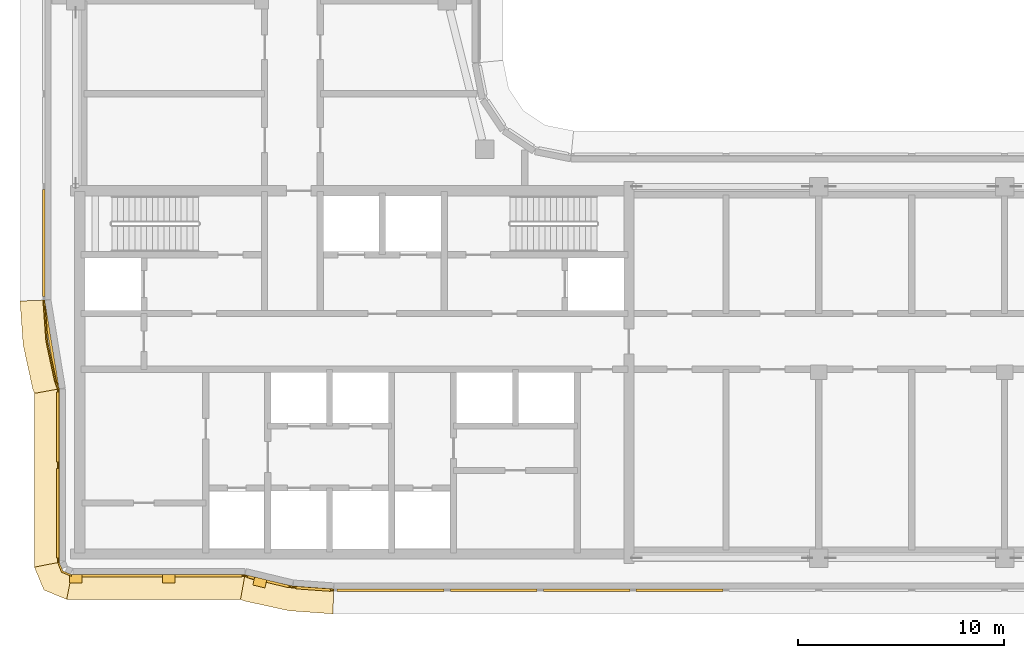
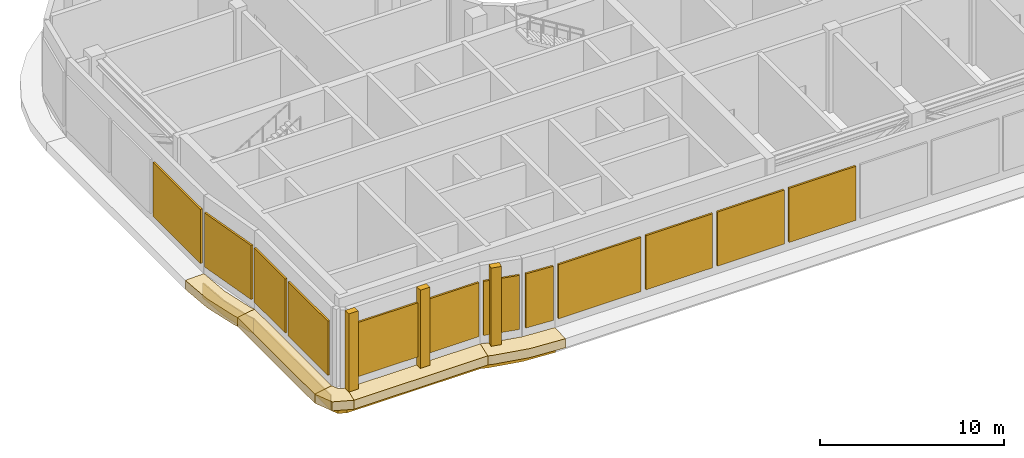
# One storey, part 9 of 14: 13 coverings, 12 shading devices.
"""IFC4 building model written with IfcOpenShell, lengths in metres."""

from ifc_helpers import new_model, si_unit, direction, frame, origin, origin_2d, place, context, subcontext, project, spatial, polyline, rectangle, outline, extrude, material, layer, layer_set, type_object, element, save


model = new_model("IFC4")

# Units and contexts
model_context = context("Model", 3, precision=1e-05, world=origin(), true_north=direction((0.0, 1.0)))
body_context = subcontext(model_context, "Body", "Model", "MODEL_VIEW")
ifc_project = project(units=[si_unit("LENGTHUNIT", "METRE"), si_unit("AREAUNIT", "SQUARE_METRE"), si_unit("VOLUMEUNIT", "CUBIC_METRE"), si_unit("PLANEANGLEUNIT", "RADIAN"), si_unit("MASSUNIT", "GRAM", prefix="KILO")], contexts=[model_context])

# Site, building, storey
site_placement = place(None, origin())
site = spatial("IfcSite", under=ifc_project, at=site_placement, CompositionType="ELEMENT")
building_placement = place(site_placement, origin())
building = spatial("IfcBuilding", under=site, at=building_placement, Name="Ogive Portal Towers", CompositionType="ELEMENT")
storey_placement = place(building_placement, frame((0.0, 0.0, 243.89990234375)))
storey = spatial("IfcBuildingStorey", under=building, at=storey_placement, Name="L61", CompositionType="ELEMENT", Elevation=243.89990234375)

# Shading devices
ifc_material_1 = material(Name="Aluminium 6063 anodised", Category="aluminium")
ifc_layer_1 = layer(ifc_material_1, 0.1201171875)
ifc_layer_set_1 = layer_set([ifc_layer_1], Name="LOUVRE BANK ALUMINIUM")
shading_device_type = type_object("IfcShadingDeviceType", Name="LOUVRE BANK ALUMINIUM", PredefinedType="USERDEFINED", material=ifc_layer_set_1)
shading_device_1_placement = place(storey_placement, frame((30.639892578125, 27.849609375, 0.60009765625), z_axis=(0.0, 0.0, 1.0), x_axis=(0.0, -1.0, 0.0)))
element("IfcShadingDevice", 1, at=shading_device_1_placement, inside=storey, type_object=shading_device_type, Name="Louvre bank 1", ObjectType="LOUVRE", PredefinedType="USERDEFINED", context=body_context, shape_type="SweptSolid", body=[
    extrude(rectangle(XDim=3.3994140625, YDim=0.1201171875, at=origin_2d()), origin(), (0.0, 0.0, 1.0), 3.60009765625),
])
for number, where, z_axis, x_axis, name in (
    (2, (30.639892578125, 23.679931640625, 0.60009765625), (0.0, 0.0, 1.0), (0.0, -1.0, 0.0), "Louvre bank 2"),
    (3, (33.679931640625, 20.639892578125, 0.60009765625), (0.0, 0.0, 1.0), (1.0, 0.0, 0.0), "Louvre bank 1"),
):
    element("IfcShadingDevice", number, at=place(storey_placement, frame(where, z_axis=z_axis, x_axis=x_axis)), inside=storey, type_object=shading_device_type, Name=name, ObjectType="LOUVRE", PredefinedType="USERDEFINED", context=body_context, shape_type="SweptSolid", body=[
        extrude(rectangle(XDim=4.34033203125, YDim=0.1201171875, at=origin_2d()), origin(), (0.0, 0.0, 1.0), 3.60009765625),
    ])
shading_device_2_placement = place(storey_placement, frame((37.849609375, 20.639892578125, 0.60009765625), z_axis=(0.0, 0.0, 1.0), x_axis=(1.0, 0.0, 0.0)))
element("IfcShadingDevice", 4, at=shading_device_2_placement, inside=storey, type_object=shading_device_type, Name="Louvre bank 2", ObjectType="LOUVRE", PredefinedType="USERDEFINED", context=body_context, shape_type="SweptSolid", body=[
    extrude(rectangle(XDim=3.3994140625, YDim=0.1201171875, at=origin_2d()), origin(), (0.0, 0.0, 1.0), 3.60009765625),
])
shading_device_3_placement = place(storey_placement, frame((40.827392578125, 20.365966796875, 0.60009765625), z_axis=(0.0, 0.0, 1.0), x_axis=(0.972048056714, -0.234781974263, 0.0)))
element("IfcShadingDevice", 5, at=shading_device_3_placement, inside=storey, type_object=shading_device_type, Name="Louvre bank 1", ObjectType="LOUVRE", PredefinedType="USERDEFINED", context=body_context, shape_type="SweptSolid", body=[
    extrude(rectangle(XDim=2.049560546875, YDim=0.1201171875, at=origin_2d()), origin(), (0.0, 0.0, 1.0), 3.60009765625),
])
shading_device_4_placement = place(storey_placement, frame((43.006591796875, 20.010986328125, 0.60009765625), z_axis=(0.0, 0.0, 1.0), x_axis=(0.99745211461, -0.071339183201, 0.0)))
element("IfcShadingDevice", 6, at=shading_device_4_placement, inside=storey, type_object=shading_device_type, Name="Louvre bank 1", ObjectType="LOUVRE", PredefinedType="USERDEFINED", context=body_context, shape_type="SweptSolid", body=[
    extrude(rectangle(XDim=1.661865234375, YDim=0.1201171875, at=origin_2d()), origin(), (0.0, 0.0, 1.0), 3.60009765625),
])
shading_device_5_placement = place(storey_placement, frame((46.75537109375, 19.93994140625, 0.60009765625), z_axis=(0.0, 0.0, 1.0), x_axis=(1.0, 0.0, 0.0)))
element("IfcShadingDevice", 7, at=shading_device_5_placement, inside=storey, type_object=shading_device_type, Name="Louvre bank 1", ObjectType="LOUVRE", PredefinedType="USERDEFINED", context=body_context, shape_type="SweptSolid", body=[
    extrude(rectangle(XDim=5.189208984375, YDim=0.1201171875, at=origin_2d()), origin(), (0.0, 0.0, 1.0), 3.60009765625),
])
for number, where, z_axis, x_axis, name in (
    (8, (51.75, 19.93994140625, 0.60009765625), (0.0, 0.0, 1.0), (1.0, 0.0, 0.0), "Louvre bank 2"),
    (9, (56.25, 19.93994140625, 0.60009765625), (0.0, 0.0, 1.0), (1.0, 0.0, 0.0), "Louvre bank 3"),
    (10, (60.75, 19.93994140625, 0.60009765625), (0.0, 0.0, 1.0), (1.0, 0.0, 0.0), "Louvre bank 4"),
):
    element("IfcShadingDevice", number, at=place(storey_placement, frame(where, z_axis=z_axis, x_axis=x_axis)), inside=storey, type_object=shading_device_type, Name=name, ObjectType="LOUVRE", PredefinedType="USERDEFINED", context=body_context, shape_type="SweptSolid", body=[
        extrude(rectangle(XDim=4.199951171875, YDim=0.1201171875, at=origin_2d()), origin(), (0.0, 0.0, 1.0), 3.60009765625),
    ])
shading_device_6_placement = place(storey_placement, frame((29.93994140625, 36.76220703125, 0.60009765625), z_axis=(0.0, 0.0, 1.0), x_axis=(0.0, -1.0, 0.0)))
element("IfcShadingDevice", 11, at=shading_device_6_placement, inside=storey, type_object=shading_device_type, Name="Louvre bank 3", ObjectType="LOUVRE", PredefinedType="USERDEFINED", context=body_context, shape_type="SweptSolid", body=[
    extrude(rectangle(XDim=5.17578125, YDim=0.1201171875, at=origin_2d()), origin(), (0.0, 0.0, 1.0), 3.60009765625),
])
shading_device_7_placement = place(storey_placement, frame((30.292724609375, 31.828125, 0.60009765625), z_axis=(0.0, 0.0, 1.0), x_axis=(0.160654533408, -0.987010699484, 0.0)))
element("IfcShadingDevice", 12, at=shading_device_7_placement, inside=storey, type_object=shading_device_type, Name="Louvre bank 1", ObjectType="LOUVRE", PredefinedType="USERDEFINED", context=body_context, shape_type="SweptSolid", body=[
    extrude(rectangle(XDim=4.032958984375, YDim=0.1201171875, at=origin_2d()), origin(), (0.0, 0.0, 1.0), 3.60009765625),
])

# Coverings
ifc_material_2 = material(Name="Limestone cladding on lightweight block wall", Category="masonry")
ifc_layer_2 = layer(ifc_material_2, 0.39990234375)
ifc_layer_set_2 = layer_set([ifc_layer_2], Name="SPINE PIER STONE")
covering_type_1 = type_object("IfcCoveringType", Name="SPINE PIER STONE", PredefinedType="CLADDING", material=ifc_layer_set_2)
for number, where, z_axis, x_axis, name in (
    (13, (31.5, 20.5, 0.0), (0.0, 0.0, 1.0), (1.0, 0.0, 0.0), "SPINE PIER"),
    (14, (36.0, 20.5, 0.0), (0.0, 0.0, 1.0), (1.0, 0.0, 0.0), "SPINE PIER"),
    (15, (40.417724609375, 20.32080078125, 0.0), (0.0, 0.0, 1.0), (0.972047938929, -0.234782461918, 0.0), "SPINE PIER"),
):
    element("IfcCovering", number, at=place(storey_placement, frame(where, z_axis=z_axis, x_axis=x_axis)), inside=storey, type_object=covering_type_1, Name=name, PredefinedType="CLADDING", context=body_context, shape_type="SweptSolid", body=[
        extrude(rectangle(XDim=0.60009765625, YDim=0.39990234375, at=origin_2d()), origin(), (0.0, 0.0, 1.0), 5.199951171875),
    ])
ifc_layer_3 = layer(ifc_material_2, 0.080078125)
ifc_layer_set_3 = layer_set([ifc_layer_3], Name="STONE SPANDREL 80")
covering_type_2 = type_object("IfcCoveringType", Name="STONE SPANDREL 80", PredefinedType="CLADDING", material=ifc_layer_set_3)
covering_1_placement = place(storey_placement, frame((0.0, 0.0, -1.599853515625)))
element("IfcCovering", 16, at=covering_1_placement, inside=storey, type_object=covering_type_2, Name="Stone spandrel A1-F01", PredefinedType="CLADDING", context=body_context, shape_type="SweptSolid", body=[
    extrude(outline(polyline([(30.699951171875, 29.699462890625), (30.699951171875, 21.300048828125), (30.6201171875, 21.2841796875), (30.6201171875, 29.68505859375), (30.699951171875, 29.699462890625)])), origin(), (0.0, 0.0, 1.0), 1.0),
])
covering_2_placement = place(storey_placement, frame((0.0, 0.0, -1.599853515625)))
element("IfcCovering", 17, at=covering_2_placement, inside=storey, type_object=covering_type_2, Name="Stone spandrel A1-F02", PredefinedType="CLADDING", context=body_context, shape_type="SweptSolid", body=[
    extrude(outline(polyline([(30.699951171875, 21.300048828125), (30.875732421875, 20.875732421875), (31.300048828125, 20.699951171875), (31.2841796875, 20.6201171875), (30.814453125, 20.814453125), (30.6201171875, 21.2841796875), (30.699951171875, 21.300048828125)])), origin(), (0.0, 0.0, 1.0), 1.0),
])
covering_3_placement = place(storey_placement, frame((0.0, 0.0, -1.599853515625)))
element("IfcCovering", 18, at=covering_3_placement, inside=storey, type_object=covering_type_2, Name="Stone spandrel A1-F03", PredefinedType="CLADDING", context=body_context, shape_type="SweptSolid", body=[
    extrude(outline(polyline([(31.300048828125, 20.699951171875), (39.699462890625, 20.699951171875), (39.68505859375, 20.6201171875), (31.2841796875, 20.6201171875), (31.300048828125, 20.699951171875)])), origin(), (0.0, 0.0, 1.0), 1.0),
])
covering_4_placement = place(storey_placement, frame((0.0, 0.0, -1.599853515625)))
element("IfcCovering", 19, at=covering_4_placement, inside=storey, type_object=covering_type_2, Name="Stone spandrel A1-F04", PredefinedType="CLADDING", context=body_context, shape_type="SweptSolid", body=[
    extrude(outline(polyline([(39.699462890625, 20.699951171875), (40.0556640625, 20.567138671875), (42.007568359375, 20.142578125), (44.0, 20.0), (43.9970703125, 19.919921875), (41.99609375, 20.063232421875), (40.033203125, 20.490234375), (39.68505859375, 20.6201171875), (39.699462890625, 20.699951171875)])), origin(), (0.0, 0.0, 1.0), 1.0),
])
covering_5_placement = place(storey_placement, frame((0.0, 0.0, -1.599853515625)))
element("IfcCovering", 20, at=covering_5_placement, inside=storey, type_object=covering_type_2, Name="Stone spandrel A1-F14", PredefinedType="CLADDING", context=body_context, shape_type="SweptSolid", body=[
    extrude(outline(polyline([(30.0, 34.0), (30.142578125, 32.007568359375), (30.567138671875, 30.0556640625), (30.699951171875, 29.699462890625), (30.6201171875, 29.68505859375), (30.490234375, 30.033203125), (30.063232421875, 31.99609375), (29.919921875, 33.9970703125), (30.0, 34.0)])), origin(), (0.0, 0.0, 1.0), 1.0),
])
ifc_layer_4 = layer(ifc_material_2, 0.60009765625)
ifc_layer_set_4 = layer_set([ifc_layer_4], Name="SUNSHADE LIP 600")
covering_type_3 = type_object("IfcCoveringType", Name="SUNSHADE LIP 600", PredefinedType="CLADDING", material=ifc_layer_set_4)
covering_6_placement = place(storey_placement, frame((0.0, 0.0, -0.599853515625)))
element("IfcCovering", 21, at=covering_6_placement, inside=storey, type_object=covering_type_3, Name="Sunshade lip A1-F01", PredefinedType="CLADDING", context=body_context, shape_type="SweptSolid", body=[
    extrude(outline(polyline([(30.699951171875, 29.699462890625), (30.699951171875, 21.300048828125), (29.5, 21.061279296875), (29.5, 29.48291015625), (30.699951171875, 29.699462890625)])), origin(), (0.0, 0.0, 1.0), 0.599853515625),
])
covering_7_placement = place(storey_placement, frame((0.0, 0.0, -0.599853515625)))
element("IfcCovering", 22, at=covering_7_placement, inside=storey, type_object=covering_type_3, Name="Sunshade lip A1-F02", PredefinedType="CLADDING", context=body_context, shape_type="SweptSolid", body=[
    extrude(outline(polyline([(30.699951171875, 21.300048828125), (30.875732421875, 20.875732421875), (31.300048828125, 20.699951171875), (31.061279296875, 19.5), (29.957275390625, 19.957275390625), (29.5, 21.061279296875), (30.699951171875, 21.300048828125)])), origin(), (0.0, 0.0, 1.0), 0.599853515625),
])
covering_8_placement = place(storey_placement, frame((0.0, 0.0, -0.599853515625)))
element("IfcCovering", 23, at=covering_8_placement, inside=storey, type_object=covering_type_3, Name="Sunshade lip A1-F03", PredefinedType="CLADDING", context=body_context, shape_type="SweptSolid", body=[
    extrude(outline(polyline([(31.300048828125, 20.699951171875), (39.699462890625, 20.699951171875), (39.48291015625, 19.5), (31.061279296875, 19.5), (31.300048828125, 20.699951171875)])), origin(), (0.0, 0.0, 1.0), 0.599853515625),
])
covering_9_placement = place(storey_placement, frame((0.0, 0.0, -0.599853515625)))
element("IfcCovering", 24, at=covering_9_placement, inside=storey, type_object=covering_type_3, Name="Sunshade lip A1-F04", PredefinedType="CLADDING", context=body_context, shape_type="SweptSolid", body=[
    extrude(outline(polyline([(39.699462890625, 20.699951171875), (40.0556640625, 20.567138671875), (42.007568359375, 20.142578125), (44.0, 20.0), (43.95703125, 18.800048828125), (41.83642578125, 18.95166015625), (39.716796875, 19.412841796875), (39.48291015625, 19.5), (39.699462890625, 20.699951171875)])), origin(), (0.0, 0.0, 1.0), 0.599853515625),
])
covering_10_placement = place(storey_placement, frame((0.0, 0.0, -0.599853515625)))
element("IfcCovering", 25, at=covering_10_placement, inside=storey, type_object=covering_type_3, Name="Sunshade lip A1-F14", PredefinedType="CLADDING", context=body_context, shape_type="SweptSolid", body=[
    extrude(outline(polyline([(30.0, 34.0), (30.142578125, 32.007568359375), (30.567138671875, 30.0556640625), (30.699951171875, 29.699462890625), (29.5, 29.48291015625), (29.412841796875, 29.716796875), (28.95166015625, 31.83642578125), (28.800048828125, 33.95703125), (30.0, 34.0)])), origin(), (0.0, 0.0, 1.0), 0.599853515625),
])

save(model, "model.ifc")
